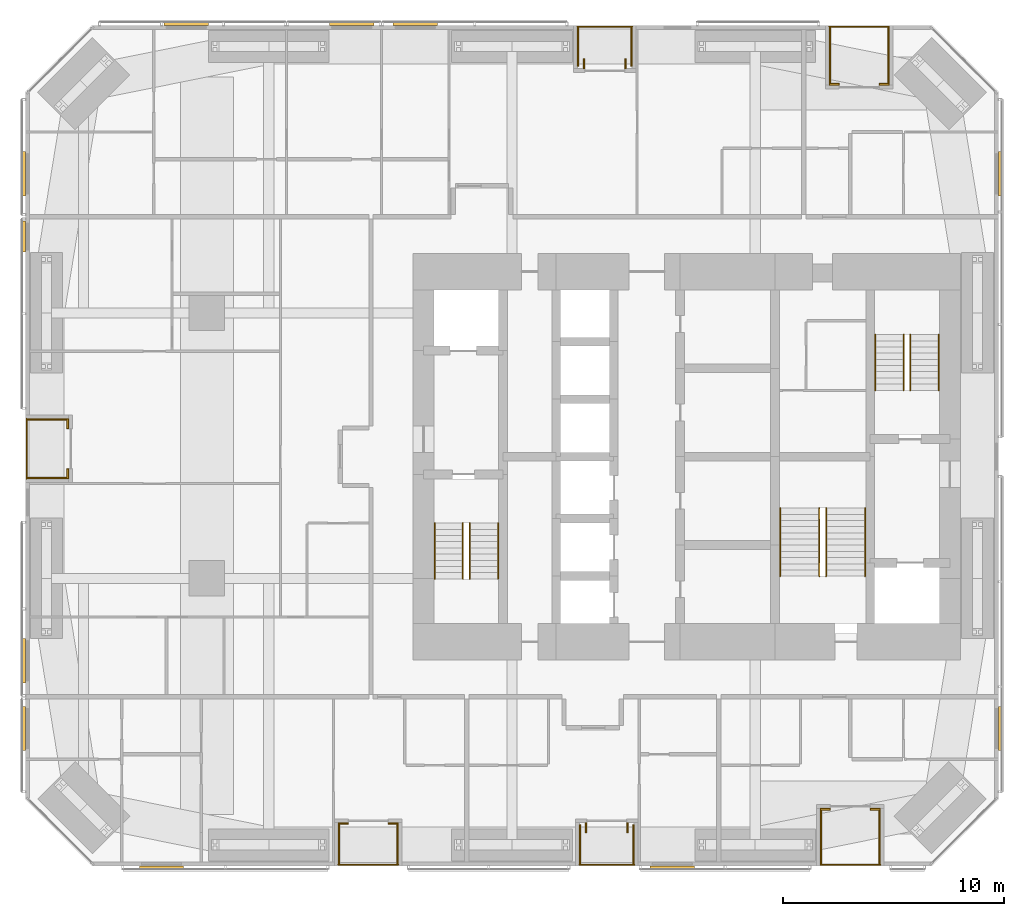
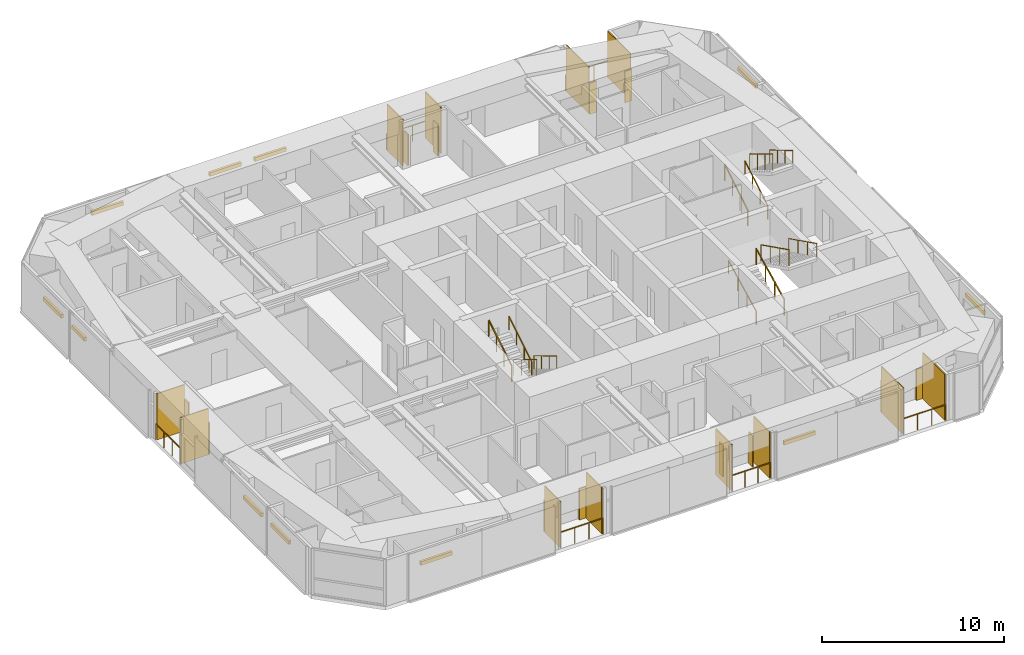
# One storey, part 23 of 23: 35 shading devices, 18 railings.
"""IFC4 building model written with IfcOpenShell, lengths in metres."""

from ifc_helpers import new_model, si_unit, direction, frame, origin, origin_2d, place, context, subcontext, project, spatial, rectangle, circle, extrude, material, layer, layer_set, constituent, constituent_set, type_object, element, save


model = new_model("IFC4")

# Units and contexts
model_context = context("Model", 3, precision=1e-05, world=origin(), true_north=direction((0.0, 1.0)))
body_context = subcontext(model_context, "Body", "Model", "MODEL_VIEW")
ifc_project = project(units=[si_unit("LENGTHUNIT", "METRE"), si_unit("AREAUNIT", "SQUARE_METRE"), si_unit("VOLUMEUNIT", "CUBIC_METRE"), si_unit("PLANEANGLEUNIT", "RADIAN"), si_unit("MASSUNIT", "GRAM", prefix="KILO")], contexts=[model_context])

# Site, building, storey
site_placement = place(None, origin())
site = spatial("IfcSite", under=ifc_project, at=site_placement, CompositionType="ELEMENT")
building_placement = place(site_placement, origin())
building = spatial("IfcBuilding", under=site, at=building_placement, Name="Jalousie Tower", CompositionType="ELEMENT")
storey_placement = place(building_placement, frame((0.0, 0.0, 31.050048828125)))
storey = spatial("IfcBuildingStorey", under=building, at=storey_placement, Name="L07", CompositionType="ELEMENT", Elevation=31.050048828125)

# Shading devices
ifc_material_1 = material(Name="Aluminium impact-rated louvred storm shutter", Category="aluminium")
shading_device_type_1 = type_object("IfcShadingDeviceType", Name="BI-FOLD STORM SHUTTER 900x2100", PredefinedType="SHUTTER", material=ifc_material_1)
for number, where, z_axis, x_axis, name in (
    (1, (16.375, 1.909912109375, 0.0), (0.0, 0.0, 1.0), (1.0, 0.0, 0.0), "Loggia storm shutter L07"),
    (2, (18.625, 1.909912109375, 0.0), (0.0, 0.0, 1.0), (1.0, 0.0, 0.0), "Loggia storm shutter L07"),
    (3, (27.347412109375, 1.72509765625, 0.0), (0.0, 0.0, 1.0), (0.0, 1.0, 0.0), "Loggia storm shutter L07"),
    (4, (29.2275390625, 1.72509765625, 0.0), (0.0, 0.0, 1.0), (0.0, 1.0, 0.0), "Loggia storm shutter L07"),
    (5, (38.175048828125, 2.56005859375, 0.0), (0.0, 0.0, 1.0), (1.0, 0.0, 0.0), "Loggia storm shutter L07"),
    (6, (40.425048828125, 2.56005859375, 0.0), (0.0, 0.0, 1.0), (1.0, 0.0, 0.0), "Loggia storm shutter L07"),
    (7, (40.82373046875, 35.340087890625, 0.0), (0.0, 0.0, 1.0), (-1.0, 0.0, 0.0), "Loggia storm shutter L07"),
    (8, (38.57373046875, 35.340087890625, 0.0), (0.0, 0.0, 1.0), (-1.0, 0.0, 0.0), "Loggia storm shutter L07"),
    (9, (29.1357421875, 36.27490234375, 0.0), (0.0, 0.0, 1.0), (0.0, -1.0, 0.0), "Loggia storm shutter L07"),
    (10, (27.255615234375, 36.27490234375, 0.0), (0.0, 0.0, 1.0), (0.0, -1.0, 0.0), "Loggia storm shutter L07"),
    (11, (3.909912109375, 19.987548828125, 0.0), (0.0, 0.0, 1.0), (0.0, -1.0, 0.0), "Loggia storm shutter L07"),
    (12, (3.909912109375, 17.737548828125, 0.0), (0.0, 0.0, 1.0), (0.0, -1.0, 0.0), "Loggia storm shutter L07"),
):
    element("IfcShadingDevice", number, at=place(storey_placement, frame(where, z_axis=z_axis, x_axis=x_axis)), inside=storey, type_object=shading_device_type_1, Name=name, PredefinedType="SHUTTER", context=body_context, shape_type="SweptSolid", body=[
        extrude(rectangle(XDim=0.449951171875, YDim=0.080078125, at=origin_2d()), origin(), (0.0, 0.0, 1.0), 2.10009765625),
    ])

# Railings
ifc_material_2 = material(Name="Powder-coated aluminium fretwork", Category="aluminium")
railing_type_1 = type_object("IfcRailingType", Name="FRETWORK BALUSTRADE 1100", PredefinedType="BALUSTRADE", material=ifc_material_2)
railing_1_placement = place(storey_placement, frame((16.14990234375, 0.050048828125, 0.0)))
element("IfcRailing", 13, at=railing_1_placement, inside=storey, type_object=railing_type_1, Name="Loggia fretwork balustrade L07", PredefinedType="BALUSTRADE", context=body_context, shape_type="SweptSolid", body=[
    extrude(rectangle(XDim=0.048095703125, YDim=0.048095703125, at=origin_2d()), frame((0.0, 0.0, 1.076171875), z_axis=(1.0, 0.0, 0.0), x_axis=(0.0, 1.0, 0.0)), (0.0, 0.0, 1.0), 2.7001953125),
    extrude(circle(Radius=0.02099609375, at=origin_2d()), origin(), (0.0, 0.0, 1.0), 1.052001953125),
    extrude(circle(Radius=0.02099609375, at=origin_2d()), frame((0.900146484375, 0.0, 0.0)), (0.0, 0.0, 1.0), 1.052001953125),
    extrude(circle(Radius=0.02099609375, at=origin_2d()), frame((1.800048828125, 0.0, 0.0)), (0.0, 0.0, 1.0), 1.052001953125),
    extrude(circle(Radius=0.02099609375, at=origin_2d()), frame((2.7001953125, 0.0, 0.0)), (0.0, 0.0, 1.0), 1.052001953125),
])
railing_2_placement = place(storey_placement, frame((27.050048828125, 0.050048828125, 0.0)))
element("IfcRailing", 14, at=railing_2_placement, inside=storey, type_object=railing_type_1, Name="Loggia fretwork balustrade L07", PredefinedType="BALUSTRADE", context=body_context, shape_type="SweptSolid", body=[
    extrude(rectangle(XDim=0.048095703125, YDim=0.048095703125, at=origin_2d()), frame((0.0, 0.0, 1.076171875), z_axis=(1.0, 0.0, 0.0), x_axis=(0.0, 1.0, 0.0)), (0.0, 0.0, 1.0), 2.474853515625),
    extrude(circle(Radius=0.02099609375, at=origin_2d()), origin(), (0.0, 0.0, 1.0), 1.052001953125),
    extrude(circle(Radius=0.02099609375, at=origin_2d()), frame((0.824951171875, 0.0, 0.0)), (0.0, 0.0, 1.0), 1.052001953125),
    extrude(circle(Radius=0.02099609375, at=origin_2d()), frame((1.64990234375, 0.0, 0.0)), (0.0, 0.0, 1.0), 1.052001953125),
    extrude(circle(Radius=0.02099609375, at=origin_2d()), frame((2.474853515625, 0.0, 0.0)), (0.0, 0.0, 1.0), 1.052001953125),
])
railing_3_placement = place(storey_placement, frame((37.949951171875, 0.050048828125, 0.0)))
element("IfcRailing", 15, at=railing_3_placement, inside=storey, type_object=railing_type_1, Name="Loggia fretwork balustrade L07", PredefinedType="BALUSTRADE", context=body_context, shape_type="SweptSolid", body=[
    extrude(rectangle(XDim=0.048095703125, YDim=0.048095703125, at=origin_2d()), frame((0.0, 0.0, 1.076171875), z_axis=(1.0, 0.0, 0.0), x_axis=(0.0, 1.0, 0.0)), (0.0, 0.0, 1.0), 2.699951171875),
    extrude(circle(Radius=0.02099609375, at=origin_2d()), origin(), (0.0, 0.0, 1.0), 1.052001953125),
    extrude(circle(Radius=0.02099609375, at=origin_2d()), frame((0.89990234375, 0.0, 0.0)), (0.0, 0.0, 1.0), 1.052001953125),
    extrude(circle(Radius=0.02099609375, at=origin_2d()), frame((1.800048828125, 0.0, 0.0)), (0.0, 0.0, 1.0), 1.052001953125),
    extrude(circle(Radius=0.02099609375, at=origin_2d()), frame((2.699951171875, 0.0, 0.0)), (0.0, 0.0, 1.0), 1.052001953125),
])
railing_4_placement = place(storey_placement, frame((41.048583984375, 37.949951171875, 0.0)))
element("IfcRailing", 16, at=railing_4_placement, inside=storey, type_object=railing_type_1, Name="Loggia fretwork balustrade L07", PredefinedType="BALUSTRADE", context=body_context, shape_type="SweptSolid", body=[
    extrude(rectangle(XDim=0.048095703125, YDim=0.048095703125, at=origin_2d()), frame((0.0, 0.0, 1.076171875), z_axis=(-1.0, 0.0, 0.0), x_axis=(0.0, -1.0, 0.0)), (0.0, 0.0, 1.0), 2.699951171875),
    extrude(circle(Radius=0.02099609375, at=origin_2d()), origin(), (0.0, 0.0, 1.0), 1.052001953125),
    extrude(circle(Radius=0.02099609375, at=origin_2d()), frame((-0.89990234375, 0.0, 0.0)), (0.0, 0.0, 1.0), 1.052001953125),
    extrude(circle(Radius=0.02099609375, at=origin_2d()), frame((-1.800048828125, 0.0, 0.0)), (0.0, 0.0, 1.0), 1.052001953125),
    extrude(circle(Radius=0.02099609375, at=origin_2d()), frame((-2.699951171875, 0.0, 0.0)), (0.0, 0.0, 1.0), 1.052001953125),
])
railing_5_placement = place(storey_placement, frame((29.43310546875, 37.949951171875, 0.0)))
element("IfcRailing", 17, at=railing_5_placement, inside=storey, type_object=railing_type_1, Name="Loggia fretwork balustrade L07", PredefinedType="BALUSTRADE", context=body_context, shape_type="SweptSolid", body=[
    extrude(rectangle(XDim=0.048095703125, YDim=0.048095703125, at=origin_2d()), frame((0.0, 0.0, 1.076171875), z_axis=(-1.0, 0.0, 0.0), x_axis=(0.0, -1.0, 0.0)), (0.0, 0.0, 1.0), 2.474853515625),
    extrude(circle(Radius=0.02099609375, at=origin_2d()), origin(), (0.0, 0.0, 1.0), 1.052001953125),
    extrude(circle(Radius=0.02099609375, at=origin_2d()), frame((-0.824951171875, 0.0, 0.0)), (0.0, 0.0, 1.0), 1.052001953125),
    extrude(circle(Radius=0.02099609375, at=origin_2d()), frame((-1.64990234375, 0.0, 0.0)), (0.0, 0.0, 1.0), 1.052001953125),
    extrude(circle(Radius=0.02099609375, at=origin_2d()), frame((-2.474853515625, 0.0, 0.0)), (0.0, 0.0, 1.0), 1.052001953125),
])
railing_6_placement = place(storey_placement, frame((2.050048828125, 20.216796875, 0.0)))
element("IfcRailing", 18, at=railing_6_placement, inside=storey, type_object=railing_type_1, Name="Loggia fretwork balustrade L07", PredefinedType="BALUSTRADE", context=body_context, shape_type="SweptSolid", body=[
    extrude(rectangle(XDim=0.048095703125, YDim=0.048095703125, at=origin_2d()), frame((0.0, 0.0, 1.076171875), z_axis=(0.0, -1.0, 0.0), x_axis=(1.0, 0.0, 0.0)), (0.0, 0.0, 1.0), 2.70849609375),
    extrude(circle(Radius=0.02099609375, at=origin_2d()), origin(), (0.0, 0.0, 1.0), 1.052001953125),
    extrude(circle(Radius=0.02099609375, at=origin_2d()), frame((0.0, -0.90283203125, 0.0)), (0.0, 0.0, 1.0), 1.052001953125),
    extrude(circle(Radius=0.02099609375, at=origin_2d()), frame((0.0, -1.8056640625, 0.0)), (0.0, 0.0, 1.0), 1.052001953125),
    extrude(circle(Radius=0.02099609375, at=origin_2d()), frame((0.0, -2.70849609375, 0.0)), (0.0, 0.0, 1.0), 1.052001953125),
])

# Shading devices
ifc_material_3 = material(Name="Powder-coated aluminium louvres", Category="aluminium")
ifc_layer = layer(ifc_material_3, 0.06005859375)
ifc_layer_set = layer_set([ifc_layer], Name="Powder-coated aluminium louvres")
shading_device_type_2 = type_object("IfcShadingDeviceType", Name="JALOUSIE LOUVRE SCREEN", PredefinedType="JALOUSIE", material=ifc_layer_set)
for number, where, z_axis, x_axis, name in (
    (19, (16.179931640625, 0.97509765625, 0.0), (0.0, 0.0, 1.0), (1.0, 0.0, 0.0), "Loggia jalousie louvre screen L07"),
    (20, (18.820068359375, 0.97509765625, 0.0), (0.0, 0.0, 1.0), (1.0, 0.0, 0.0), "Loggia jalousie louvre screen L07"),
    (21, (27.080078125, 0.97509765625, 0.0), (0.0, 0.0, 1.0), (1.0, 0.0, 0.0), "Loggia jalousie louvre screen L07"),
    (22, (29.4951171875, 0.97509765625, 0.0), (0.0, 0.0, 1.0), (1.0, 0.0, 0.0), "Loggia jalousie louvre screen L07"),
):
    element("IfcShadingDevice", number, at=place(storey_placement, frame(where, z_axis=z_axis, x_axis=x_axis)), inside=storey, type_object=shading_device_type_2, Name=name, PredefinedType="JALOUSIE", context=body_context, shape_type="SweptSolid", body=[
        extrude(rectangle(XDim=0.06005859375, YDim=1.75, at=origin_2d()), origin(), (0.0, 0.0, 1.0), 3.110107421875),
    ])
for number, where, z_axis, x_axis, name in (
    (23, (37.97998046875, 1.300048828125, 0.0), (0.0, 0.0, 1.0), (1.0, 0.0, 0.0), "Loggia jalousie louvre screen L07"),
    (24, (40.6201171875, 1.300048828125, 0.0), (0.0, 0.0, 1.0), (1.0, 0.0, 0.0), "Loggia jalousie louvre screen L07"),
):
    element("IfcShadingDevice", number, at=place(storey_placement, frame(where, z_axis=z_axis, x_axis=x_axis)), inside=storey, type_object=shading_device_type_2, Name=name, PredefinedType="JALOUSIE", context=body_context, shape_type="SweptSolid", body=[
        extrude(rectangle(XDim=0.06005859375, YDim=2.39990234375, at=origin_2d()), origin(), (0.0, 0.0, 1.0), 3.110107421875),
    ])
for number, where, z_axis, x_axis, name in (
    (25, (41.018798828125, 36.64990234375, 0.0), (0.0, 0.0, 1.0), (-1.0, 0.0, 0.0), "Loggia jalousie louvre screen L07"),
    (26, (38.378662109375, 36.64990234375, 0.0), (0.0, 0.0, 1.0), (-1.0, 0.0, 0.0), "Loggia jalousie louvre screen L07"),
):
    element("IfcShadingDevice", number, at=place(storey_placement, frame(where, z_axis=z_axis, x_axis=x_axis)), inside=storey, type_object=shading_device_type_2, Name=name, PredefinedType="JALOUSIE", context=body_context, shape_type="SweptSolid", body=[
        extrude(rectangle(XDim=0.06005859375, YDim=2.5, at=origin_2d()), origin(), (0.0, 0.0, 1.0), 3.110107421875),
    ])
for number, where, z_axis, x_axis, name in (
    (27, (29.4033203125, 37.02490234375, 0.0), (0.0, 0.0, 1.0), (-1.0, 0.0, 0.0), "Loggia jalousie louvre screen L07"),
    (28, (26.98828125, 37.02490234375, 0.0), (0.0, 0.0, 1.0), (-1.0, 0.0, 0.0), "Loggia jalousie louvre screen L07"),
    (29, (2.97509765625, 20.186767578125, 0.0), (0.0, 0.0, 1.0), (0.0, -1.0, 0.0), "Loggia jalousie louvre screen L07"),
    (30, (2.97509765625, 17.538330078125, 0.0), (0.0, 0.0, 1.0), (0.0, -1.0, 0.0), "Loggia jalousie louvre screen L07"),
):
    element("IfcShadingDevice", number, at=place(storey_placement, frame(where, z_axis=z_axis, x_axis=x_axis)), inside=storey, type_object=shading_device_type_2, Name=name, PredefinedType="JALOUSIE", context=body_context, shape_type="SweptSolid", body=[
        extrude(rectangle(XDim=0.06005859375, YDim=1.75, at=origin_2d()), origin(), (0.0, 0.0, 1.0), 3.110107421875),
    ])

# Railings
ifc_material_4 = material(Name="Steel ASTM A500 Grade C", Category="steel")
ifc_constituent_1 = constituent(ifc_material_4, Name="Body")
ifc_material_5 = material(Name="Hot-dip galvanised zinc coating")
ifc_constituent_2 = constituent(ifc_material_5, Name="Finish")
ifc_constituent_set_1 = constituent_set(constituents=[ifc_constituent_1, ifc_constituent_2])
railing_type_2 = type_object("IfcRailingType", Name="STAIR GUARD 1100", PredefinedType="GUARDRAIL", material=ifc_constituent_set_1)
railing_7_placement = place(storey_placement, frame((22.092529296875, 15.49755859375, 0.16748046875)))
element("IfcRailing", 31, at=railing_7_placement, inside=storey, type_object=railing_type_2, Name="Exit stair A guard L07 flight 1", PredefinedType="GUARDRAIL", context=body_context, shape_type="SweptSolid", body=[
    extrude(rectangle(XDim=0.048095703125, YDim=0.048095703125, at=origin_2d()), frame((0.0, 0.0, 1.076171875), z_axis=(0.0, -0.858159760407, 0.513382728203), x_axis=(1.0, 0.0, 0.0)), (0.0, 0.0, 1.0), 2.9365234375),
    extrude(circle(Radius=0.02099609375, at=origin_2d()), origin(), (0.0, 0.0, 1.0), 1.052001953125),
    extrude(circle(Radius=0.02099609375, at=origin_2d()), frame((0.0, -0.840087890625, 0.50244140625)), (0.0, 0.0, 1.0), 1.052001953125),
    extrude(circle(Radius=0.02099609375, at=origin_2d()), frame((0.0, -1.679931640625, 1.005126953125)), (0.0, 0.0, 1.0), 1.052001953125),
    extrude(circle(Radius=0.02099609375, at=origin_2d()), frame((0.0, -2.52001953125, 1.507568359375)), (0.0, 0.0, 1.0), 1.052001953125),
])
railing_8_placement = place(storey_placement, frame((20.5048828125, 12.9775390625, 1.842529296875)))
element("IfcRailing", 32, at=railing_8_placement, inside=storey, type_object=railing_type_2, Name="Exit stair A guard L07 flight 2", PredefinedType="GUARDRAIL", context=body_context, shape_type="SweptSolid", body=[
    extrude(rectangle(XDim=0.048095703125, YDim=0.048095703125, at=origin_2d()), frame((0.0, 0.0, 1.076171875), z_axis=(0.0, 0.858196387827, 0.513321497621), x_axis=(-1.0, 0.0, 0.0)), (0.0, 0.0, 1.0), 2.9365234375),
    extrude(circle(Radius=0.02099609375, at=origin_2d()), origin(), (0.0, 0.0, 1.0), 1.052001953125),
    extrude(circle(Radius=0.02099609375, at=origin_2d()), frame((0.0, 0.840087890625, 0.50244140625)), (0.0, 0.0, 1.0), 1.052001953125),
    extrude(circle(Radius=0.02099609375, at=origin_2d()), frame((0.0, 1.679931640625, 1.0048828125)), (0.0, 0.0, 1.0), 1.052001953125),
    extrude(circle(Radius=0.02099609375, at=origin_2d()), frame((0.0, 2.52001953125, 1.50732421875)), (0.0, 0.0, 1.0), 1.052001953125),
])
railing_9_placement = place(storey_placement, frame((40.43017578125, 21.50244140625, 0.16748046875)))
element("IfcRailing", 33, at=railing_9_placement, inside=storey, type_object=railing_type_2, Name="Exit stair B guard L07 flight 1", PredefinedType="GUARDRAIL", context=body_context, shape_type="SweptSolid", body=[
    extrude(rectangle(XDim=0.048095703125, YDim=0.048095703125, at=origin_2d()), frame((0.0, 0.0, 1.076171875), z_axis=(0.0, 0.858159760407, 0.513382728203), x_axis=(-1.0, 0.0, 0.0)), (0.0, 0.0, 1.0), 2.9365234375),
    extrude(circle(Radius=0.02099609375, at=origin_2d()), origin(), (0.0, 0.0, 1.0), 1.052001953125),
    extrude(circle(Radius=0.02099609375, at=origin_2d()), frame((0.0, 0.840087890625, 0.50244140625)), (0.0, 0.0, 1.0), 1.052001953125),
    extrude(circle(Radius=0.02099609375, at=origin_2d()), frame((0.0, 1.679931640625, 1.005126953125)), (0.0, 0.0, 1.0), 1.052001953125),
    extrude(circle(Radius=0.02099609375, at=origin_2d()), frame((0.0, 2.52001953125, 1.507568359375)), (0.0, 0.0, 1.0), 1.052001953125),
])
railing_10_placement = place(storey_placement, frame((42.017578125, 24.0224609375, 1.842529296875)))
element("IfcRailing", 34, at=railing_10_placement, inside=storey, type_object=railing_type_2, Name="Exit stair B guard L07 flight 2", PredefinedType="GUARDRAIL", context=body_context, shape_type="SweptSolid", body=[
    extrude(rectangle(XDim=0.048095703125, YDim=0.048095703125, at=origin_2d()), frame((0.0, 0.0, 1.076171875), z_axis=(0.0, -0.858196387827, 0.513321497621), x_axis=(1.0, 0.0, 0.0)), (0.0, 0.0, 1.0), 2.9365234375),
    extrude(circle(Radius=0.02099609375, at=origin_2d()), origin(), (0.0, 0.0, 1.0), 1.052001953125),
    extrude(circle(Radius=0.02099609375, at=origin_2d()), frame((0.0, -0.840087890625, 0.50244140625)), (0.0, 0.0, 1.0), 1.052001953125),
    extrude(circle(Radius=0.02099609375, at=origin_2d()), frame((0.0, -1.679931640625, 1.0048828125)), (0.0, 0.0, 1.0), 1.052001953125),
    extrude(circle(Radius=0.02099609375, at=origin_2d()), frame((0.0, -2.52001953125, 1.50732421875)), (0.0, 0.0, 1.0), 1.052001953125),
])
railing_11_placement = place(storey_placement, frame((37.89501953125, 13.097412109375, 0.1396484375)))
element("IfcRailing", 35, at=railing_11_placement, inside=storey, type_object=railing_type_2, Name="Exit stair C guard L07 flight 1", PredefinedType="GUARDRAIL", context=body_context, shape_type="SweptSolid", body=[
    extrude(rectangle(XDim=0.048095703125, YDim=0.048095703125, at=origin_2d()), frame((0.0, 0.0, 1.076171875), z_axis=(0.0, 0.894965676997, 0.446134998624), x_axis=(-1.0, 0.0, 0.0)), (0.0, 0.0, 1.0), 3.441650390625),
    extrude(circle(Radius=0.02099609375, at=origin_2d()), origin(), (0.0, 0.0, 1.0), 1.052001953125),
    extrude(circle(Radius=0.02099609375, at=origin_2d()), frame((0.0, 1.026611328125, 0.51171875)), (0.0, 0.0, 1.0), 1.052001953125),
    extrude(circle(Radius=0.02099609375, at=origin_2d()), frame((0.0, 2.053466796875, 1.023681640625)), (0.0, 0.0, 1.0), 1.052001953125),
    extrude(circle(Radius=0.02099609375, at=origin_2d()), frame((0.0, 3.080078125, 1.535400390625)), (0.0, 0.0, 1.0), 1.052001953125),
])
railing_12_placement = place(storey_placement, frame((38.205078125, 16.177490234375, 1.814453125)))
element("IfcRailing", 36, at=railing_12_placement, inside=storey, type_object=railing_type_2, Name="Exit stair C guard L07 flight 2", PredefinedType="GUARDRAIL", context=body_context, shape_type="SweptSolid", body=[
    extrude(rectangle(XDim=0.048095703125, YDim=0.048095703125, at=origin_2d()), frame((0.0, 0.0, 1.076171875), z_axis=(0.0, -0.894965676997, 0.446134998624), x_axis=(1.0, 0.0, 0.0)), (0.0, 0.0, 1.0), 3.441650390625),
    extrude(circle(Radius=0.02099609375, at=origin_2d()), origin(), (0.0, 0.0, 1.0), 1.052001953125),
    extrude(circle(Radius=0.02099609375, at=origin_2d()), frame((0.0, -1.026611328125, 0.51171875)), (0.0, 0.0, 1.0), 1.052001953125),
    extrude(circle(Radius=0.02099609375, at=origin_2d()), frame((0.0, -2.053466796875, 1.023681640625)), (0.0, 0.0, 1.0), 1.052001953125),
    extrude(circle(Radius=0.02099609375, at=origin_2d()), frame((0.0, -3.080078125, 1.535400390625)), (0.0, 0.0, 1.0), 1.052001953125),
])
ifc_material_6 = material(Name="Steel ASTM A500 Grade C", Category="steel")
ifc_constituent_3 = constituent(ifc_material_6, Name="Body")
ifc_material_7 = material(Name="Hot-dip galvanised zinc coating")
ifc_constituent_4 = constituent(ifc_material_7, Name="Finish")
ifc_constituent_set_2 = constituent_set(constituents=[ifc_constituent_3, ifc_constituent_4])
railing_type_3 = type_object("IfcRailingType", Name="STAIR HANDRAIL 900", PredefinedType="HANDRAIL", material=ifc_constituent_set_2)
railing_13_placement = place(storey_placement, frame((23.3701171875, 15.49755859375, 0.16748046875)))
element("IfcRailing", 37, at=railing_13_placement, inside=storey, type_object=railing_type_3, Name="Exit stair A handrail L07 flight 1", PredefinedType="HANDRAIL", context=body_context, shape_type="SweptSolid", body=[
    extrude(circle(Radius=0.02392578125, at=origin_2d()), frame((0.0, 0.0, 0.8759765625), z_axis=(0.0, -0.858159760407, 0.513382728203), x_axis=(1.0, 0.0, 0.0)), (0.0, 0.0, 1.0), 2.9365234375),
    extrude(circle(Radius=0.02099609375, at=origin_2d()), origin(), (0.0, 0.0, 1.0), 0.851806640625),
    extrude(circle(Radius=0.02099609375, at=origin_2d()), frame((0.0, -0.840087890625, 0.50244140625)), (0.0, 0.0, 1.0), 0.851806640625),
    extrude(circle(Radius=0.02099609375, at=origin_2d()), frame((0.0, -1.679931640625, 1.005126953125)), (0.0, 0.0, 1.0), 0.851806640625),
    extrude(circle(Radius=0.02099609375, at=origin_2d()), frame((0.0, -2.52001953125, 1.507568359375)), (0.0, 0.0, 1.0), 0.851806640625),
])
railing_14_placement = place(storey_placement, frame((21.78271484375, 12.9775390625, 1.842529296875)))
element("IfcRailing", 38, at=railing_14_placement, inside=storey, type_object=railing_type_3, Name="Exit stair A handrail L07 flight 2", PredefinedType="HANDRAIL", context=body_context, shape_type="SweptSolid", body=[
    extrude(circle(Radius=0.02392578125, at=origin_2d()), frame((0.0, 0.0, 0.8759765625), z_axis=(0.0, 0.858196387827, 0.513321497621), x_axis=(-1.0, 0.0, 0.0)), (0.0, 0.0, 1.0), 2.9365234375),
    extrude(circle(Radius=0.02099609375, at=origin_2d()), origin(), (0.0, 0.0, 1.0), 0.851806640625),
    extrude(circle(Radius=0.02099609375, at=origin_2d()), frame((0.0, 0.840087890625, 0.50244140625)), (0.0, 0.0, 1.0), 0.851806640625),
    extrude(circle(Radius=0.02099609375, at=origin_2d()), frame((0.0, 1.679931640625, 1.0048828125)), (0.0, 0.0, 1.0), 0.851806640625),
    extrude(circle(Radius=0.02099609375, at=origin_2d()), frame((0.0, 2.52001953125, 1.50732421875)), (0.0, 0.0, 1.0), 0.851806640625),
])
railing_15_placement = place(storey_placement, frame((41.70751953125, 21.50244140625, 0.16748046875)))
element("IfcRailing", 39, at=railing_15_placement, inside=storey, type_object=railing_type_3, Name="Exit stair B handrail L07 flight 1", PredefinedType="HANDRAIL", context=body_context, shape_type="SweptSolid", body=[
    extrude(circle(Radius=0.02392578125, at=origin_2d()), frame((0.0, 0.0, 0.8759765625), z_axis=(0.0, 0.858159760407, 0.513382728203), x_axis=(-1.0, 0.0, 0.0)), (0.0, 0.0, 1.0), 2.9365234375),
    extrude(circle(Radius=0.02099609375, at=origin_2d()), origin(), (0.0, 0.0, 1.0), 0.851806640625),
    extrude(circle(Radius=0.02099609375, at=origin_2d()), frame((0.0, 0.840087890625, 0.50244140625)), (0.0, 0.0, 1.0), 0.851806640625),
    extrude(circle(Radius=0.02099609375, at=origin_2d()), frame((0.0, 1.679931640625, 1.005126953125)), (0.0, 0.0, 1.0), 0.851806640625),
    extrude(circle(Radius=0.02099609375, at=origin_2d()), frame((0.0, 2.52001953125, 1.507568359375)), (0.0, 0.0, 1.0), 0.851806640625),
])
railing_16_placement = place(storey_placement, frame((43.294921875, 24.0224609375, 1.842529296875)))
element("IfcRailing", 40, at=railing_16_placement, inside=storey, type_object=railing_type_3, Name="Exit stair B handrail L07 flight 2", PredefinedType="HANDRAIL", context=body_context, shape_type="SweptSolid", body=[
    extrude(circle(Radius=0.02392578125, at=origin_2d()), frame((0.0, 0.0, 0.8759765625), z_axis=(0.0, -0.858196387827, 0.513321497621), x_axis=(1.0, 0.0, 0.0)), (0.0, 0.0, 1.0), 2.9365234375),
    extrude(circle(Radius=0.02099609375, at=origin_2d()), origin(), (0.0, 0.0, 1.0), 0.851806640625),
    extrude(circle(Radius=0.02099609375, at=origin_2d()), frame((0.0, -0.840087890625, 0.50244140625)), (0.0, 0.0, 1.0), 0.851806640625),
    extrude(circle(Radius=0.02099609375, at=origin_2d()), frame((0.0, -1.679931640625, 1.0048828125)), (0.0, 0.0, 1.0), 0.851806640625),
    extrude(circle(Radius=0.02099609375, at=origin_2d()), frame((0.0, -2.52001953125, 1.50732421875)), (0.0, 0.0, 1.0), 0.851806640625),
])
railing_17_placement = place(storey_placement, frame((36.1298828125, 13.097412109375, 0.1396484375)))
element("IfcRailing", 41, at=railing_17_placement, inside=storey, type_object=railing_type_3, Name="Exit stair C handrail L07 flight 1", PredefinedType="HANDRAIL", context=body_context, shape_type="SweptSolid", body=[
    extrude(circle(Radius=0.02392578125, at=origin_2d()), frame((0.0, 0.0, 0.8759765625), z_axis=(0.0, 0.894965676997, 0.446134998624), x_axis=(-1.0, 0.0, 0.0)), (0.0, 0.0, 1.0), 3.441650390625),
    extrude(circle(Radius=0.02099609375, at=origin_2d()), origin(), (0.0, 0.0, 1.0), 0.851806640625),
    extrude(circle(Radius=0.02099609375, at=origin_2d()), frame((0.0, 1.026611328125, 0.51171875)), (0.0, 0.0, 1.0), 0.851806640625),
    extrude(circle(Radius=0.02099609375, at=origin_2d()), frame((0.0, 2.053466796875, 1.023681640625)), (0.0, 0.0, 1.0), 0.851806640625),
    extrude(circle(Radius=0.02099609375, at=origin_2d()), frame((0.0, 3.080078125, 1.535400390625)), (0.0, 0.0, 1.0), 0.851806640625),
])
railing_18_placement = place(storey_placement, frame((39.969970703125, 16.177490234375, 1.814453125)))
element("IfcRailing", 42, at=railing_18_placement, inside=storey, type_object=railing_type_3, Name="Exit stair C handrail L07 flight 2", PredefinedType="HANDRAIL", context=body_context, shape_type="SweptSolid", body=[
    extrude(circle(Radius=0.02392578125, at=origin_2d()), frame((0.0, 0.0, 0.8759765625), z_axis=(0.0, -0.894965676997, 0.446134998624), x_axis=(1.0, 0.0, 0.0)), (0.0, 0.0, 1.0), 3.441650390625),
    extrude(circle(Radius=0.02099609375, at=origin_2d()), origin(), (0.0, 0.0, 1.0), 0.851806640625),
    extrude(circle(Radius=0.02099609375, at=origin_2d()), frame((0.0, -1.026611328125, 0.51171875)), (0.0, 0.0, 1.0), 0.851806640625),
    extrude(circle(Radius=0.02099609375, at=origin_2d()), frame((0.0, -2.053466796875, 1.023681640625)), (0.0, 0.0, 1.0), 0.851806640625),
    extrude(circle(Radius=0.02099609375, at=origin_2d()), frame((0.0, -3.080078125, 1.535400390625)), (0.0, 0.0, 1.0), 0.851806640625),
])

# Shading devices
ifc_material_8 = material(Name="Aluminium roller storm shutter", Category="aluminium")
shading_device_type_3 = type_object("IfcShadingDeviceType", Name="STORM SHUTTER HOUSING", PredefinedType="SHUTTER", material=ifc_material_8)
for number, where, z_axis, x_axis, name in (
    (43, (8.14990234375, -0.074951171875, 2.099853515625), (0.0, 0.0, 1.0), (1.0, 0.0, 0.0), "Storm shutter L07"),
    (44, (31.25, -0.074951171875, 2.099853515625), (0.0, 0.0, 1.0), (1.0, 0.0, 0.0), "Storm shutter L07"),
    (45, (46.074951171875, 6.208740234375, 2.099853515625), (0.0, 0.0, 1.0), (0.0, 1.0, 0.0), "Storm shutter L07"),
    (46, (46.074951171875, 31.291259765625, 2.099853515625), (0.0, 0.0, 1.0), (0.0, 1.0, 0.0), "Storm shutter L07"),
    (47, (19.625, 38.074951171875, 2.099853515625), (0.0, 0.0, 1.0), (-1.0, 0.0, 0.0), "Storm shutter L07"),
    (48, (16.757568359375, 38.074951171875, 2.099853515625), (0.0, 0.0, 1.0), (-1.0, 0.0, 0.0), "Storm shutter L07"),
    (49, (9.27001953125, 38.074951171875, 2.099853515625), (0.0, 0.0, 1.0), (-1.0, 0.0, 0.0), "Storm shutter L07"),
    (50, (1.925048828125, 31.291259765625, 2.099853515625), (0.0, 0.0, 1.0), (0.0, -1.0, 0.0), "Storm shutter L07"),
):
    element("IfcShadingDevice", number, at=place(storey_placement, frame(where, z_axis=z_axis, x_axis=x_axis)), inside=storey, type_object=shading_device_type_3, Name=name, PredefinedType="SHUTTER", context=body_context, shape_type="SweptSolid", body=[
        extrude(rectangle(XDim=2.0, YDim=0.14990234375, at=origin_2d()), origin(), (0.0, 0.0, 1.0), 0.25),
    ])
shading_device_placement = place(storey_placement, frame((1.925048828125, 28.449951171875, 2.099853515625), z_axis=(0.0, 0.0, 1.0), x_axis=(0.0, -1.0, 0.0)))
element("IfcShadingDevice", 51, at=shading_device_placement, inside=storey, type_object=shading_device_type_3, Name="Storm shutter L07", PredefinedType="SHUTTER", context=body_context, shape_type="SweptSolid", body=[
    extrude(rectangle(XDim=1.39990234375, YDim=0.14990234375, at=origin_2d()), origin(), (0.0, 0.0, 1.0), 0.25),
])
for number, where, z_axis, x_axis, name in (
    (52, (1.925048828125, 9.27490234375, 2.099853515625), (0.0, 0.0, 1.0), (0.0, -1.0, 0.0), "Storm shutter L07"),
    (53, (1.925048828125, 6.208740234375, 2.099853515625), (0.0, 0.0, 1.0), (0.0, -1.0, 0.0), "Storm shutter L07"),
):
    element("IfcShadingDevice", number, at=place(storey_placement, frame(where, z_axis=z_axis, x_axis=x_axis)), inside=storey, type_object=shading_device_type_3, Name=name, PredefinedType="SHUTTER", context=body_context, shape_type="SweptSolid", body=[
        extrude(rectangle(XDim=2.0, YDim=0.14990234375, at=origin_2d()), origin(), (0.0, 0.0, 1.0), 0.25),
    ])

save(model, "model.ifc")
